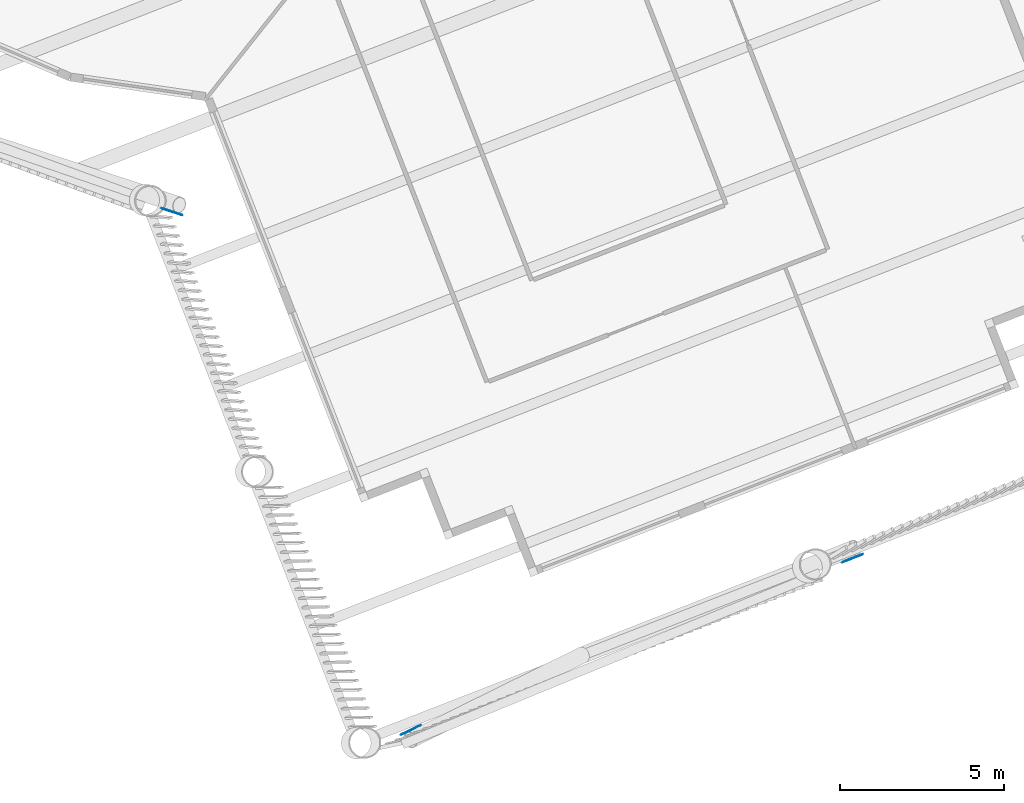
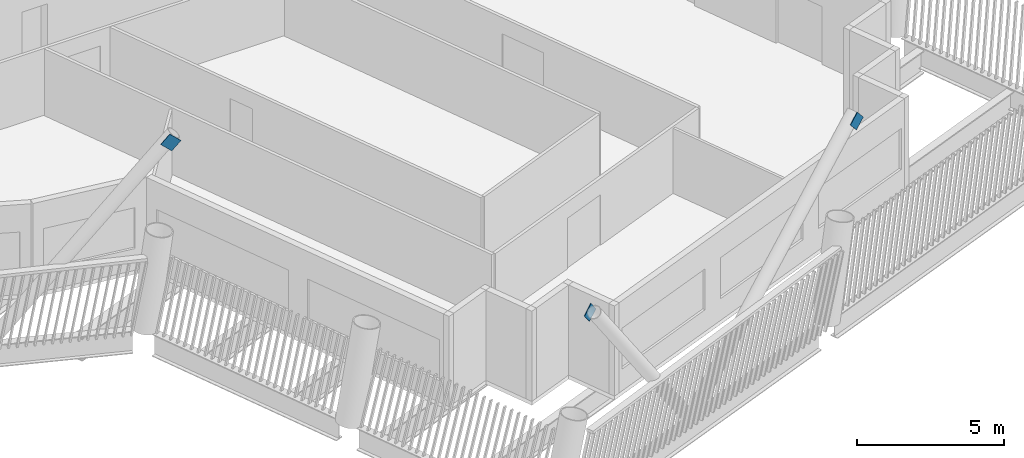
# One storey, part 8 of 20: 3 discrete accessories.
"""IFC4 building model written with IfcOpenShell, lengths in metres."""

from ifc_helpers import new_model, si_unit, direction, frame, origin, origin_2d, place, context, subcontext, project, spatial, rectangle, extrude, material, material_profile, profile_set, type_object, element, save


model = new_model("IFC4")

# Units and contexts
model_context = context("Model", 3, precision=1e-05, world=origin(), true_north=direction((0.0, 1.0)))
body_context = subcontext(model_context, "Body", "Model", "MODEL_VIEW")
ifc_project = project(units=[si_unit("LENGTHUNIT", "METRE"), si_unit("AREAUNIT", "SQUARE_METRE"), si_unit("VOLUMEUNIT", "CUBIC_METRE"), si_unit("PLANEANGLEUNIT", "RADIAN"), si_unit("MASSUNIT", "GRAM", prefix="KILO")], contexts=[model_context])

# Site, building, storey
site_placement = place(None, origin())
site = spatial("IfcSite", under=ifc_project, at=site_placement, CompositionType="ELEMENT")
building_placement = place(site_placement, origin())
building = spatial("IfcBuilding", under=site, at=building_placement, Name="Tarsis Ring Headquarters", CompositionType="ELEMENT")
storey_placement = place(building_placement, frame((0.0, 0.0, 315.800048828125)))
storey = spatial("IfcBuildingStorey", under=building, at=storey_placement, Name="L74", CompositionType="ELEMENT", Elevation=315.800048828125)

# Discrete accessories
ifc_material = material(Name="Structural steel S355", Category="steel")
ifc_material_profile = material_profile(ifc_material, rectangle(XDim=0.02490234375, YDim=0.5, at=origin_2d()), Name="PL 25x500")
ifc_profile_set = profile_set([ifc_material_profile], Name="Structural steel S355")
discrete_accessory_type = type_object("IfcDiscreteAccessoryType", Name="Gusset plate Exo brace 25", PredefinedType="BRACKET", material=ifc_profile_set)
discrete_accessory_placement = place(storey_placement, frame((-3.7587890625, -29.068359375, 7.800048828125), z_axis=(-0.60404343971, 0.197766849703, -0.772023183656), x_axis=(-0.311152613775, -0.950359958616, 0.0)))
element("IfcDiscreteAccessory", 1, at=discrete_accessory_placement, inside=storey, type_object=discrete_accessory_type, Name="Gusset plate GP5", PredefinedType="BRACKET", context=body_context, shape_type="SweptSolid", body=[
    extrude(rectangle(XDim=0.02490234375, YDim=0.5, at=origin_2d()), origin(), (0.0, 0.0, 1.0), 0.5),
])
for number, where, z_axis, x_axis, name in (
    (2, (17.068115234375, -39.539794921875, 7.800048828125), (-0.70177366634, -0.275731656107, -0.656875768355), (0.365692422494, -0.930735758489, 0.0), "Gusset plate GP5"),
    (3, (3.265625, -44.921142578125, 7.800048828125), (0.538421865381, 0.266038002387, -0.799578436531), (-0.442981985145, 0.896530513054, 0.0), "Gusset plate GP5"),
):
    element("IfcDiscreteAccessory", number, at=place(storey_placement, frame(where, z_axis=z_axis, x_axis=x_axis)), inside=storey, type_object=discrete_accessory_type, Name=name, PredefinedType="BRACKET", context=body_context, shape_type="SweptSolid", body=[
        extrude(rectangle(XDim=0.02490234375, YDim=0.5, at=origin_2d()), origin(), (0.0, 0.0, 1.0), 0.500244140625),
    ])

save(model, "model.ifc")
